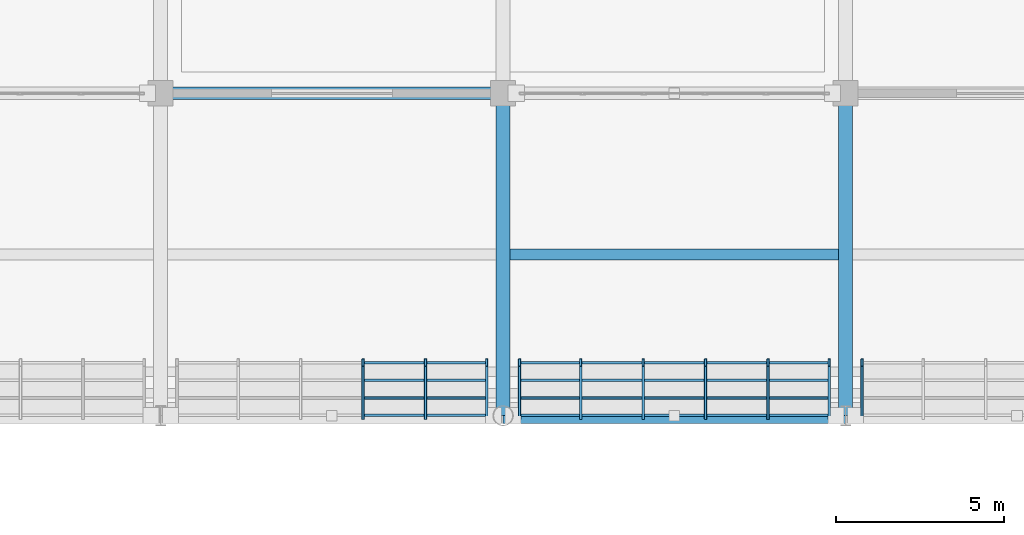
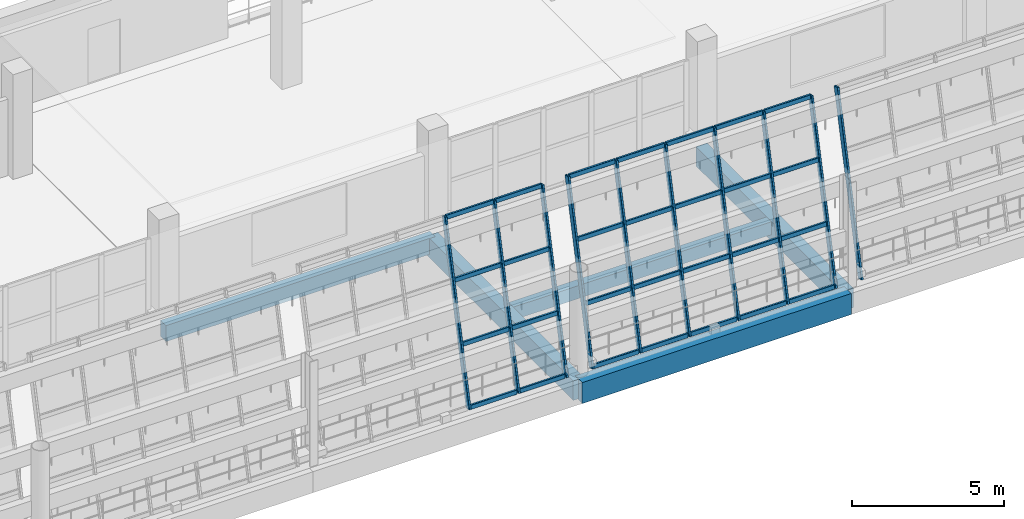
# One storey, part 43 of 157: 38 members, 5 beams, 3 elements without a shape of their own.
"""IFC4 building model written with IfcOpenShell, lengths in metres."""

from ifc_helpers import new_model, si_unit, direction, frame, origin, origin_2d, place, context, subcontext, project, spatial, rectangle, hollow_rectangle, extrude, material, material_profile, profile_set, type_object, element, aggregate, save


model = new_model("IFC4")

# Units and contexts
model_context = context("Model", 3, precision=1e-05, world=origin(), true_north=direction((0.0, 1.0)))
body_context = subcontext(model_context, "Body", "Model", "MODEL_VIEW")
ifc_project = project(units=[si_unit("LENGTHUNIT", "METRE"), si_unit("AREAUNIT", "SQUARE_METRE"), si_unit("VOLUMEUNIT", "CUBIC_METRE"), si_unit("PLANEANGLEUNIT", "RADIAN"), si_unit("MASSUNIT", "GRAM", prefix="KILO")], contexts=[model_context])

# Site, building, storey
site_placement = place(None, origin())
site = spatial("IfcSite", under=ifc_project, at=site_placement, CompositionType="ELEMENT")
building_placement = place(site_placement, origin())
building = spatial("IfcBuilding", under=site, at=building_placement, Name="Brelvane Convention Centre", CompositionType="ELEMENT")
storey_placement = place(building_placement, frame((0.0, 0.0, 10.800048828125)))
storey = spatial("IfcBuildingStorey", under=building, at=storey_placement, Name="L02", CompositionType="ELEMENT", Elevation=10.800048828125)

# Curtain wall, members
ifc_material_1 = material(Name="Anodised Aluminium Alloy 6063-T6", Category="aluminium")
curtain_wall_type = type_object("IfcCurtainWallType", Name="Curtain Wall CW-HULL-N", PredefinedType="USERDEFINED", material=ifc_material_1)
curtain_wall_1_placement = place(storey_placement, origin())
curtain_wall_1 = element("IfcCurtainWall", 1, at=curtain_wall_1_placement, inside=storey, type_object=curtain_wall_type, Name="Curtain Wall CW-HULL-N L02-V1N-HULL-08", ObjectType="UNITISED", PredefinedType="USERDEFINED")
ifc_material_2 = material(Name="Anodised Aluminium Alloy 6063-T6", Category="aluminium")
ifc_material_profile_1 = material_profile(ifc_material_2, hollow_rectangle(XDim=0.080078125, YDim=0.239990234375, WallThickness=0.006103515625, InnerFilletRadius=0.006103515625, OuterFilletRadius=0.011962890625, at=origin_2d()), Name="ALU-M 240x80x6.0")
ifc_profile_set_1 = profile_set([ifc_material_profile_1], Name="Anodised Aluminium Alloy 6063-T6")
member_type_1 = type_object("IfcMemberType", Name="Curtain Mullion CW-M1", PredefinedType="MULLION", material=ifc_profile_set_1)
member_1_placement = place(storey_placement, frame((77.429931640625, 99.60009765625, 0.0), z_axis=(0.0, 0.228324840492, 0.973585007698), x_axis=(-1.0, 0.0, 0.0)))
member_1 = element("IfcMember", 2, at=member_1_placement, type_object=member_type_1, Name="CW-HULL-N mullion 4", PredefinedType="MULLION", context=body_context, shape_type="SweptSolid", body=[
    extrude(hollow_rectangle(XDim=0.080078125, YDim=0.239990234375, WallThickness=0.006103515625, InnerFilletRadius=0.006103515625, OuterFilletRadius=0.011962890625, at=origin_2d()), origin(), (0.0, 0.0, 1.0), 6.93310546875),
])
member_2_placement = place(storey_placement, frame((79.2900390625, 99.60009765625, 0.0), z_axis=(0.0, 0.228324840492, 0.973585007698), x_axis=(-1.0, 0.0, 0.0)))
member_2 = element("IfcMember", 3, at=member_2_placement, type_object=member_type_1, Name="CW-HULL-N mullion 5", PredefinedType="MULLION", context=body_context, shape_type="SweptSolid", body=[
    extrude(hollow_rectangle(XDim=0.080078125, YDim=0.239990234375, WallThickness=0.006103515625, InnerFilletRadius=0.006103515625, OuterFilletRadius=0.011962890625, at=origin_2d()), origin(), (0.0, 0.0, 1.0), 6.93310546875),
])
member_3_placement = place(storey_placement, frame((81.110107421875, 99.60009765625, 0.0), z_axis=(0.0, 0.228324840492, 0.973585007698), x_axis=(-1.0, 0.0, 0.0)))
member_3 = element("IfcMember", 4, at=member_3_placement, type_object=member_type_1, Name="CW-HULL-N mullion 6", PredefinedType="MULLION", context=body_context, shape_type="SweptSolid", body=[
    extrude(hollow_rectangle(XDim=0.080078125, YDim=0.239990234375, WallThickness=0.006103515625, InnerFilletRadius=0.006103515625, OuterFilletRadius=0.011962890625, at=origin_2d()), origin(), (0.0, 0.0, 1.0), 6.93310546875),
])

curtain_wall_2_placement = place(storey_placement, origin())
curtain_wall_2 = element("IfcCurtainWall", 5, at=curtain_wall_2_placement, inside=storey, type_object=curtain_wall_type, Name="Curtain Wall CW-HULL-N L02-V1N-HULL-09", ObjectType="UNITISED", PredefinedType="USERDEFINED")
member_4_placement = place(storey_placement, frame((82.090087890625, 99.60009765625, 0.0), z_axis=(0.0, 0.228324840492, 0.973585007698), x_axis=(-1.0, 0.0, 0.0)))
member_4 = element("IfcMember", 6, at=member_4_placement, type_object=member_type_1, Name="CW-HULL-N mullion 1", PredefinedType="MULLION", context=body_context, shape_type="SweptSolid", body=[
    extrude(hollow_rectangle(XDim=0.080078125, YDim=0.239990234375, WallThickness=0.006103515625, InnerFilletRadius=0.006103515625, OuterFilletRadius=0.011962890625, at=origin_2d()), origin(), (0.0, 0.0, 1.0), 6.93310546875),
])
member_5_placement = place(storey_placement, frame((83.909912109375, 99.60009765625, 0.0), z_axis=(0.0, 0.228324840492, 0.973585007698), x_axis=(-1.0, 0.0, 0.0)))
member_5 = element("IfcMember", 7, at=member_5_placement, type_object=member_type_1, Name="CW-HULL-N mullion 2", PredefinedType="MULLION", context=body_context, shape_type="SweptSolid", body=[
    extrude(hollow_rectangle(XDim=0.080078125, YDim=0.239990234375, WallThickness=0.006103515625, InnerFilletRadius=0.006103515625, OuterFilletRadius=0.011962890625, at=origin_2d()), origin(), (0.0, 0.0, 1.0), 6.93310546875),
])
member_6_placement = place(storey_placement, frame((85.77001953125, 99.60009765625, 0.0), z_axis=(0.0, 0.228324840492, 0.973585007698), x_axis=(-1.0, 0.0, 0.0)))
member_6 = element("IfcMember", 8, at=member_6_placement, type_object=member_type_1, Name="CW-HULL-N mullion 3", PredefinedType="MULLION", context=body_context, shape_type="SweptSolid", body=[
    extrude(hollow_rectangle(XDim=0.080078125, YDim=0.239990234375, WallThickness=0.006103515625, InnerFilletRadius=0.006103515625, OuterFilletRadius=0.011962890625, at=origin_2d()), origin(), (0.0, 0.0, 1.0), 6.93310546875),
])
member_7_placement = place(storey_placement, frame((87.6298828125, 99.60009765625, 0.0), z_axis=(0.0, 0.228324840492, 0.973585007698), x_axis=(-1.0, 0.0, 0.0)))
member_7 = element("IfcMember", 9, at=member_7_placement, type_object=member_type_1, Name="CW-HULL-N mullion 4", PredefinedType="MULLION", context=body_context, shape_type="SweptSolid", body=[
    extrude(hollow_rectangle(XDim=0.080078125, YDim=0.239990234375, WallThickness=0.006103515625, InnerFilletRadius=0.006103515625, OuterFilletRadius=0.011962890625, at=origin_2d()), origin(), (0.0, 0.0, 1.0), 6.93310546875),
])
member_8_placement = place(storey_placement, frame((89.489990234375, 99.60009765625, 0.0), z_axis=(0.0, 0.228324840492, 0.973585007698), x_axis=(-1.0, 0.0, 0.0)))
member_8 = element("IfcMember", 10, at=member_8_placement, type_object=member_type_1, Name="CW-HULL-N mullion 5", PredefinedType="MULLION", context=body_context, shape_type="SweptSolid", body=[
    extrude(hollow_rectangle(XDim=0.080078125, YDim=0.239990234375, WallThickness=0.006103515625, InnerFilletRadius=0.006103515625, OuterFilletRadius=0.011962890625, at=origin_2d()), origin(), (0.0, 0.0, 1.0), 6.93310546875),
])
member_9_placement = place(storey_placement, frame((91.31005859375, 99.60009765625, 0.0), z_axis=(0.0, 0.228324840492, 0.973585007698), x_axis=(-1.0, 0.0, 0.0)))
member_9 = element("IfcMember", 11, at=member_9_placement, type_object=member_type_1, Name="CW-HULL-N mullion 6", PredefinedType="MULLION", context=body_context, shape_type="SweptSolid", body=[
    extrude(hollow_rectangle(XDim=0.080078125, YDim=0.239990234375, WallThickness=0.006103515625, InnerFilletRadius=0.006103515625, OuterFilletRadius=0.011962890625, at=origin_2d()), origin(), (0.0, 0.0, 1.0), 6.93310546875),
])

# Curtain wall, member
curtain_wall_3_placement = place(storey_placement, origin())
curtain_wall_3 = element("IfcCurtainWall", 12, at=curtain_wall_3_placement, inside=storey, type_object=curtain_wall_type, Name="Curtain Wall CW-HULL-N L02-V1N-HULL-10", ObjectType="UNITISED", PredefinedType="USERDEFINED")
member_10_placement = place(storey_placement, frame((92.2900390625, 99.60009765625, 0.0), z_axis=(0.0, 0.228324840492, 0.973585007698), x_axis=(-1.0, 0.0, 0.0)))
member_10 = element("IfcMember", 13, at=member_10_placement, type_object=member_type_1, Name="CW-HULL-N mullion 1", PredefinedType="MULLION", context=body_context, shape_type="SweptSolid", body=[
    extrude(hollow_rectangle(XDim=0.080078125, YDim=0.239990234375, WallThickness=0.006103515625, InnerFilletRadius=0.006103515625, OuterFilletRadius=0.011962890625, at=origin_2d()), origin(), (0.0, 0.0, 1.0), 6.93310546875),
])
aggregate(curtain_wall_3, [member_10])

# Member
ifc_material_3 = material(Name="Anodised Aluminium Alloy 6063-T6", Category="aluminium")
ifc_material_profile_2 = material_profile(ifc_material_3, hollow_rectangle(XDim=0.080078125, YDim=0.179931640625, WallThickness=0.0048828125, InnerFilletRadius=0.0048828125, OuterFilletRadius=0.010009765625, at=origin_2d()), Name="ALU-T 180x80x5.0")
ifc_profile_set_2 = profile_set([ifc_material_profile_2], Name="Anodised Aluminium Alloy 6063-T6")
member_type_2 = type_object("IfcMemberType", Name="Curtain Transom CW-T1", PredefinedType="USERDEFINED", material=ifc_profile_set_2)
member_11_placement = place(storey_placement, frame((77.469970703125, 99.609375, 0.0400390625), z_axis=(1.0, 0.0, 0.0), x_axis=(0.0, 1.0, 0.0)))
member_11 = element("IfcMember", 14, at=member_11_placement, type_object=member_type_2, Name="CW-HULL-N transom 4.1", ObjectType="TRANSOM", PredefinedType="USERDEFINED", context=body_context, shape_type="SweptSolid", body=[
    extrude(hollow_rectangle(XDim=0.080078125, YDim=0.179931640625, WallThickness=0.0048828125, InnerFilletRadius=0.0048828125, OuterFilletRadius=0.010009765625, at=origin_2d()), origin(), (0.0, 0.0, 1.0), 1.780029296875),
])

member_12_placement = place(storey_placement, frame((77.469970703125, 100.127685546875, 2.25), z_axis=(1.0, 0.0, 0.0), x_axis=(0.0, 1.0, 0.0)))
member_12 = element("IfcMember", 15, at=member_12_placement, type_object=member_type_2, Name="CW-HULL-N transom 4.2", ObjectType="TRANSOM", PredefinedType="USERDEFINED", context=body_context, shape_type="SweptSolid", body=[
    extrude(hollow_rectangle(XDim=0.080078125, YDim=0.179931640625, WallThickness=0.0048828125, InnerFilletRadius=0.0048828125, OuterFilletRadius=0.010009765625, at=origin_2d()), origin(), (0.0, 0.0, 1.0), 1.780029296875),
])

member_13_placement = place(storey_placement, frame((77.469970703125, 100.655517578125, 4.5), z_axis=(1.0, 0.0, 0.0), x_axis=(0.0, 1.0, 0.0)))
member_13 = element("IfcMember", 16, at=member_13_placement, type_object=member_type_2, Name="CW-HULL-N transom 4.3", ObjectType="TRANSOM", PredefinedType="USERDEFINED", context=body_context, shape_type="SweptSolid", body=[
    extrude(hollow_rectangle(XDim=0.080078125, YDim=0.179931640625, WallThickness=0.0048828125, InnerFilletRadius=0.0048828125, OuterFilletRadius=0.010009765625, at=origin_2d()), origin(), (0.0, 0.0, 1.0), 1.780029296875),
])

member_14_placement = place(storey_placement, frame((77.469970703125, 101.173828125, 6.7099609375), z_axis=(1.0, 0.0, 0.0), x_axis=(0.0, 1.0, 0.0)))
member_14 = element("IfcMember", 17, at=member_14_placement, type_object=member_type_2, Name="CW-HULL-N transom 4.4", ObjectType="TRANSOM", PredefinedType="USERDEFINED", context=body_context, shape_type="SweptSolid", body=[
    extrude(hollow_rectangle(XDim=0.080078125, YDim=0.179931640625, WallThickness=0.0048828125, InnerFilletRadius=0.0048828125, OuterFilletRadius=0.010009765625, at=origin_2d()), origin(), (0.0, 0.0, 1.0), 1.780029296875),
])

member_15_placement = place(storey_placement, frame((79.330078125, 99.609375, 0.0400390625), z_axis=(1.0, 0.0, 0.0), x_axis=(0.0, 1.0, 0.0)))
member_15 = element("IfcMember", 18, at=member_15_placement, type_object=member_type_2, Name="CW-HULL-N transom 5.1", ObjectType="TRANSOM", PredefinedType="USERDEFINED", context=body_context, shape_type="SweptSolid", body=[
    extrude(hollow_rectangle(XDim=0.080078125, YDim=0.179931640625, WallThickness=0.0048828125, InnerFilletRadius=0.0048828125, OuterFilletRadius=0.010009765625, at=origin_2d()), origin(), (0.0, 0.0, 1.0), 1.739990234375),
])

member_16_placement = place(storey_placement, frame((79.330078125, 100.127685546875, 2.25), z_axis=(1.0, 0.0, 0.0), x_axis=(0.0, 1.0, 0.0)))
member_16 = element("IfcMember", 19, at=member_16_placement, type_object=member_type_2, Name="CW-HULL-N transom 5.2", ObjectType="TRANSOM", PredefinedType="USERDEFINED", context=body_context, shape_type="SweptSolid", body=[
    extrude(hollow_rectangle(XDim=0.080078125, YDim=0.179931640625, WallThickness=0.0048828125, InnerFilletRadius=0.0048828125, OuterFilletRadius=0.010009765625, at=origin_2d()), origin(), (0.0, 0.0, 1.0), 1.739990234375),
])

member_17_placement = place(storey_placement, frame((79.330078125, 100.655517578125, 4.5), z_axis=(1.0, 0.0, 0.0), x_axis=(0.0, 1.0, 0.0)))
member_17 = element("IfcMember", 20, at=member_17_placement, type_object=member_type_2, Name="CW-HULL-N transom 5.3", ObjectType="TRANSOM", PredefinedType="USERDEFINED", context=body_context, shape_type="SweptSolid", body=[
    extrude(hollow_rectangle(XDim=0.080078125, YDim=0.179931640625, WallThickness=0.0048828125, InnerFilletRadius=0.0048828125, OuterFilletRadius=0.010009765625, at=origin_2d()), origin(), (0.0, 0.0, 1.0), 1.739990234375),
])

member_18_placement = place(storey_placement, frame((79.330078125, 101.173828125, 6.7099609375), z_axis=(1.0, 0.0, 0.0), x_axis=(0.0, 1.0, 0.0)))
member_18 = element("IfcMember", 21, at=member_18_placement, type_object=member_type_2, Name="CW-HULL-N transom 5.4", ObjectType="TRANSOM", PredefinedType="USERDEFINED", context=body_context, shape_type="SweptSolid", body=[
    extrude(hollow_rectangle(XDim=0.080078125, YDim=0.179931640625, WallThickness=0.0048828125, InnerFilletRadius=0.0048828125, OuterFilletRadius=0.010009765625, at=origin_2d()), origin(), (0.0, 0.0, 1.0), 1.739990234375),
])

aggregate(curtain_wall_1, [member_1, member_2, member_3, member_11, member_12, member_13, member_14, member_15, member_16, member_17, member_18])

member_19_placement = place(storey_placement, frame((82.1298828125, 99.609375, 0.0400390625), z_axis=(1.0, 0.0, 0.0), x_axis=(0.0, 1.0, 0.0)))
member_19 = element("IfcMember", 22, at=member_19_placement, type_object=member_type_2, Name="CW-HULL-N transom 1.1", ObjectType="TRANSOM", PredefinedType="USERDEFINED", context=body_context, shape_type="SweptSolid", body=[
    extrude(hollow_rectangle(XDim=0.080078125, YDim=0.179931640625, WallThickness=0.0048828125, InnerFilletRadius=0.0048828125, OuterFilletRadius=0.010009765625, at=origin_2d()), origin(), (0.0, 0.0, 1.0), 1.740234375),
])

member_20_placement = place(storey_placement, frame((82.1298828125, 100.127685546875, 2.25), z_axis=(1.0, 0.0, 0.0), x_axis=(0.0, 1.0, 0.0)))
member_20 = element("IfcMember", 23, at=member_20_placement, type_object=member_type_2, Name="CW-HULL-N transom 1.2", ObjectType="TRANSOM", PredefinedType="USERDEFINED", context=body_context, shape_type="SweptSolid", body=[
    extrude(hollow_rectangle(XDim=0.080078125, YDim=0.179931640625, WallThickness=0.0048828125, InnerFilletRadius=0.0048828125, OuterFilletRadius=0.010009765625, at=origin_2d()), origin(), (0.0, 0.0, 1.0), 1.740234375),
])

member_21_placement = place(storey_placement, frame((82.1298828125, 100.655517578125, 4.5), z_axis=(1.0, 0.0, 0.0), x_axis=(0.0, 1.0, 0.0)))
member_21 = element("IfcMember", 24, at=member_21_placement, type_object=member_type_2, Name="CW-HULL-N transom 1.3", ObjectType="TRANSOM", PredefinedType="USERDEFINED", context=body_context, shape_type="SweptSolid", body=[
    extrude(hollow_rectangle(XDim=0.080078125, YDim=0.179931640625, WallThickness=0.0048828125, InnerFilletRadius=0.0048828125, OuterFilletRadius=0.010009765625, at=origin_2d()), origin(), (0.0, 0.0, 1.0), 1.740234375),
])

member_22_placement = place(storey_placement, frame((82.1298828125, 101.173828125, 6.7099609375), z_axis=(1.0, 0.0, 0.0), x_axis=(0.0, 1.0, 0.0)))
member_22 = element("IfcMember", 25, at=member_22_placement, type_object=member_type_2, Name="CW-HULL-N transom 1.4", ObjectType="TRANSOM", PredefinedType="USERDEFINED", context=body_context, shape_type="SweptSolid", body=[
    extrude(hollow_rectangle(XDim=0.080078125, YDim=0.179931640625, WallThickness=0.0048828125, InnerFilletRadius=0.0048828125, OuterFilletRadius=0.010009765625, at=origin_2d()), origin(), (0.0, 0.0, 1.0), 1.740234375),
])

member_23_placement = place(storey_placement, frame((83.949951171875, 99.609375, 0.0400390625), z_axis=(1.0, 0.0, 0.0), x_axis=(0.0, 1.0, 0.0)))
member_23 = element("IfcMember", 26, at=member_23_placement, type_object=member_type_2, Name="CW-HULL-N transom 2.1", ObjectType="TRANSOM", PredefinedType="USERDEFINED", context=body_context, shape_type="SweptSolid", body=[
    extrude(hollow_rectangle(XDim=0.080078125, YDim=0.179931640625, WallThickness=0.0048828125, InnerFilletRadius=0.0048828125, OuterFilletRadius=0.010009765625, at=origin_2d()), origin(), (0.0, 0.0, 1.0), 1.780029296875),
])

member_24_placement = place(storey_placement, frame((83.949951171875, 100.127685546875, 2.25), z_axis=(1.0, 0.0, 0.0), x_axis=(0.0, 1.0, 0.0)))
member_24 = element("IfcMember", 27, at=member_24_placement, type_object=member_type_2, Name="CW-HULL-N transom 2.2", ObjectType="TRANSOM", PredefinedType="USERDEFINED", context=body_context, shape_type="SweptSolid", body=[
    extrude(hollow_rectangle(XDim=0.080078125, YDim=0.179931640625, WallThickness=0.0048828125, InnerFilletRadius=0.0048828125, OuterFilletRadius=0.010009765625, at=origin_2d()), origin(), (0.0, 0.0, 1.0), 1.780029296875),
])

member_25_placement = place(storey_placement, frame((83.949951171875, 100.655517578125, 4.5), z_axis=(1.0, 0.0, 0.0), x_axis=(0.0, 1.0, 0.0)))
member_25 = element("IfcMember", 28, at=member_25_placement, type_object=member_type_2, Name="CW-HULL-N transom 2.3", ObjectType="TRANSOM", PredefinedType="USERDEFINED", context=body_context, shape_type="SweptSolid", body=[
    extrude(hollow_rectangle(XDim=0.080078125, YDim=0.179931640625, WallThickness=0.0048828125, InnerFilletRadius=0.0048828125, OuterFilletRadius=0.010009765625, at=origin_2d()), origin(), (0.0, 0.0, 1.0), 1.780029296875),
])

member_26_placement = place(storey_placement, frame((83.949951171875, 101.173828125, 6.7099609375), z_axis=(1.0, 0.0, 0.0), x_axis=(0.0, 1.0, 0.0)))
member_26 = element("IfcMember", 29, at=member_26_placement, type_object=member_type_2, Name="CW-HULL-N transom 2.4", ObjectType="TRANSOM", PredefinedType="USERDEFINED", context=body_context, shape_type="SweptSolid", body=[
    extrude(hollow_rectangle(XDim=0.080078125, YDim=0.179931640625, WallThickness=0.0048828125, InnerFilletRadius=0.0048828125, OuterFilletRadius=0.010009765625, at=origin_2d()), origin(), (0.0, 0.0, 1.0), 1.780029296875),
])

member_27_placement = place(storey_placement, frame((85.81005859375, 99.609375, 0.0400390625), z_axis=(1.0, 0.0, 0.0), x_axis=(0.0, 1.0, 0.0)))
member_27 = element("IfcMember", 30, at=member_27_placement, type_object=member_type_2, Name="CW-HULL-N transom 3.1", ObjectType="TRANSOM", PredefinedType="USERDEFINED", context=body_context, shape_type="SweptSolid", body=[
    extrude(hollow_rectangle(XDim=0.080078125, YDim=0.179931640625, WallThickness=0.0048828125, InnerFilletRadius=0.0048828125, OuterFilletRadius=0.010009765625, at=origin_2d()), origin(), (0.0, 0.0, 1.0), 1.780029296875),
])

member_28_placement = place(storey_placement, frame((85.81005859375, 100.127685546875, 2.25), z_axis=(1.0, 0.0, 0.0), x_axis=(0.0, 1.0, 0.0)))
member_28 = element("IfcMember", 31, at=member_28_placement, type_object=member_type_2, Name="CW-HULL-N transom 3.2", ObjectType="TRANSOM", PredefinedType="USERDEFINED", context=body_context, shape_type="SweptSolid", body=[
    extrude(hollow_rectangle(XDim=0.080078125, YDim=0.179931640625, WallThickness=0.0048828125, InnerFilletRadius=0.0048828125, OuterFilletRadius=0.010009765625, at=origin_2d()), origin(), (0.0, 0.0, 1.0), 1.780029296875),
])

member_29_placement = place(storey_placement, frame((85.81005859375, 100.655517578125, 4.5), z_axis=(1.0, 0.0, 0.0), x_axis=(0.0, 1.0, 0.0)))
member_29 = element("IfcMember", 32, at=member_29_placement, type_object=member_type_2, Name="CW-HULL-N transom 3.3", ObjectType="TRANSOM", PredefinedType="USERDEFINED", context=body_context, shape_type="SweptSolid", body=[
    extrude(hollow_rectangle(XDim=0.080078125, YDim=0.179931640625, WallThickness=0.0048828125, InnerFilletRadius=0.0048828125, OuterFilletRadius=0.010009765625, at=origin_2d()), origin(), (0.0, 0.0, 1.0), 1.780029296875),
])

member_30_placement = place(storey_placement, frame((85.81005859375, 101.173828125, 6.7099609375), z_axis=(1.0, 0.0, 0.0), x_axis=(0.0, 1.0, 0.0)))
member_30 = element("IfcMember", 33, at=member_30_placement, type_object=member_type_2, Name="CW-HULL-N transom 3.4", ObjectType="TRANSOM", PredefinedType="USERDEFINED", context=body_context, shape_type="SweptSolid", body=[
    extrude(hollow_rectangle(XDim=0.080078125, YDim=0.179931640625, WallThickness=0.0048828125, InnerFilletRadius=0.0048828125, OuterFilletRadius=0.010009765625, at=origin_2d()), origin(), (0.0, 0.0, 1.0), 1.780029296875),
])

member_31_placement = place(storey_placement, frame((87.669921875, 99.609375, 0.0400390625), z_axis=(1.0, 0.0, 0.0), x_axis=(0.0, 1.0, 0.0)))
member_31 = element("IfcMember", 34, at=member_31_placement, type_object=member_type_2, Name="CW-HULL-N transom 4.1", ObjectType="TRANSOM", PredefinedType="USERDEFINED", context=body_context, shape_type="SweptSolid", body=[
    extrude(hollow_rectangle(XDim=0.080078125, YDim=0.179931640625, WallThickness=0.0048828125, InnerFilletRadius=0.0048828125, OuterFilletRadius=0.010009765625, at=origin_2d()), origin(), (0.0, 0.0, 1.0), 1.780029296875),
])

member_32_placement = place(storey_placement, frame((87.669921875, 100.127685546875, 2.25), z_axis=(1.0, 0.0, 0.0), x_axis=(0.0, 1.0, 0.0)))
member_32 = element("IfcMember", 35, at=member_32_placement, type_object=member_type_2, Name="CW-HULL-N transom 4.2", ObjectType="TRANSOM", PredefinedType="USERDEFINED", context=body_context, shape_type="SweptSolid", body=[
    extrude(hollow_rectangle(XDim=0.080078125, YDim=0.179931640625, WallThickness=0.0048828125, InnerFilletRadius=0.0048828125, OuterFilletRadius=0.010009765625, at=origin_2d()), origin(), (0.0, 0.0, 1.0), 1.780029296875),
])

member_33_placement = place(storey_placement, frame((87.669921875, 100.655517578125, 4.5), z_axis=(1.0, 0.0, 0.0), x_axis=(0.0, 1.0, 0.0)))
member_33 = element("IfcMember", 36, at=member_33_placement, type_object=member_type_2, Name="CW-HULL-N transom 4.3", ObjectType="TRANSOM", PredefinedType="USERDEFINED", context=body_context, shape_type="SweptSolid", body=[
    extrude(hollow_rectangle(XDim=0.080078125, YDim=0.179931640625, WallThickness=0.0048828125, InnerFilletRadius=0.0048828125, OuterFilletRadius=0.010009765625, at=origin_2d()), origin(), (0.0, 0.0, 1.0), 1.780029296875),
])

member_34_placement = place(storey_placement, frame((87.669921875, 101.173828125, 6.7099609375), z_axis=(1.0, 0.0, 0.0), x_axis=(0.0, 1.0, 0.0)))
member_34 = element("IfcMember", 37, at=member_34_placement, type_object=member_type_2, Name="CW-HULL-N transom 4.4", ObjectType="TRANSOM", PredefinedType="USERDEFINED", context=body_context, shape_type="SweptSolid", body=[
    extrude(hollow_rectangle(XDim=0.080078125, YDim=0.179931640625, WallThickness=0.0048828125, InnerFilletRadius=0.0048828125, OuterFilletRadius=0.010009765625, at=origin_2d()), origin(), (0.0, 0.0, 1.0), 1.780029296875),
])

member_35_placement = place(storey_placement, frame((89.530029296875, 99.609375, 0.0400390625), z_axis=(1.0, 0.0, 0.0), x_axis=(0.0, 1.0, 0.0)))
member_35 = element("IfcMember", 38, at=member_35_placement, type_object=member_type_2, Name="CW-HULL-N transom 5.1", ObjectType="TRANSOM", PredefinedType="USERDEFINED", context=body_context, shape_type="SweptSolid", body=[
    extrude(hollow_rectangle(XDim=0.080078125, YDim=0.179931640625, WallThickness=0.0048828125, InnerFilletRadius=0.0048828125, OuterFilletRadius=0.010009765625, at=origin_2d()), origin(), (0.0, 0.0, 1.0), 1.739990234375),
])

member_36_placement = place(storey_placement, frame((89.530029296875, 100.127685546875, 2.25), z_axis=(1.0, 0.0, 0.0), x_axis=(0.0, 1.0, 0.0)))
member_36 = element("IfcMember", 39, at=member_36_placement, type_object=member_type_2, Name="CW-HULL-N transom 5.2", ObjectType="TRANSOM", PredefinedType="USERDEFINED", context=body_context, shape_type="SweptSolid", body=[
    extrude(hollow_rectangle(XDim=0.080078125, YDim=0.179931640625, WallThickness=0.0048828125, InnerFilletRadius=0.0048828125, OuterFilletRadius=0.010009765625, at=origin_2d()), origin(), (0.0, 0.0, 1.0), 1.739990234375),
])

member_37_placement = place(storey_placement, frame((89.530029296875, 100.655517578125, 4.5), z_axis=(1.0, 0.0, 0.0), x_axis=(0.0, 1.0, 0.0)))
member_37 = element("IfcMember", 40, at=member_37_placement, type_object=member_type_2, Name="CW-HULL-N transom 5.3", ObjectType="TRANSOM", PredefinedType="USERDEFINED", context=body_context, shape_type="SweptSolid", body=[
    extrude(hollow_rectangle(XDim=0.080078125, YDim=0.179931640625, WallThickness=0.0048828125, InnerFilletRadius=0.0048828125, OuterFilletRadius=0.010009765625, at=origin_2d()), origin(), (0.0, 0.0, 1.0), 1.739990234375),
])

member_38_placement = place(storey_placement, frame((89.530029296875, 101.173828125, 6.7099609375), z_axis=(1.0, 0.0, 0.0), x_axis=(0.0, 1.0, 0.0)))
member_38 = element("IfcMember", 41, at=member_38_placement, type_object=member_type_2, Name="CW-HULL-N transom 5.4", ObjectType="TRANSOM", PredefinedType="USERDEFINED", context=body_context, shape_type="SweptSolid", body=[
    extrude(hollow_rectangle(XDim=0.080078125, YDim=0.179931640625, WallThickness=0.0048828125, InnerFilletRadius=0.0048828125, OuterFilletRadius=0.010009765625, at=origin_2d()), origin(), (0.0, 0.0, 1.0), 1.739990234375),
])

aggregate(curtain_wall_2, [member_4, member_5, member_6, member_7, member_8, member_9, member_19, member_20, member_21, member_22, member_23, member_24, member_25, member_26, member_27, member_28, member_29, member_30, member_31, member_32, member_33, member_34, member_35, member_36, member_37, member_38])

# Beams
ifc_material_4 = material(Name="Concrete M40", Category="concrete")
ifc_material_profile_3 = material_profile(ifc_material_4, rectangle(XDim=0.4599609375, YDim=0.840087890625, at=origin_2d()), Name="RC 460x840")
ifc_profile_set_3 = profile_set([ifc_material_profile_3], Name="Concrete M40")
beam_type_1 = type_object("IfcBeamType", Name="RC Beam B-RC11 (RC 460x840)", PredefinedType="BEAM", material=ifc_profile_set_3)
beam_1_placement = place(storey_placement, frame((81.60009765625, 99.60009765625, -0.699951171875), z_axis=(1.0, 0.0, 0.0), x_axis=(0.0, 1.0, 0.0)))
element("IfcBeam", 42, at=beam_1_placement, inside=storey, type_object=beam_type_1, Name="L02 Beam 9-10/K", PredefinedType="BEAM", context=body_context, shape_type="SweptSolid", body=[
    extrude(rectangle(XDim=0.4599609375, YDim=0.840087890625, at=origin_2d()), origin(), (0.0, 0.0, 1.0), 10.199951171875),
])
ifc_material_5 = material(Name="Concrete M40", Category="concrete")
ifc_material_profile_4 = material_profile(ifc_material_5, rectangle(XDim=0.419921875, YDim=0.780029296875, at=origin_2d()), Name="RC 420x780")
ifc_profile_set_4 = profile_set([ifc_material_profile_4], Name="Concrete M40")
beam_type_2 = type_object("IfcBeamType", Name="RC Beam B-RC12 (RC 420x780)", PredefinedType="BEAM", material=ifc_profile_set_4)
for number, where, z_axis, x_axis, name in (
    (43, (81.60009765625, 99.60009765625, -0.670166015625), (0.0, 1.0, 0.0), (-1.0, 0.0, 0.0), "L02 Girder 9/K-L"),
    (44, (91.800048828125, 99.60009765625, -0.670166015625), (0.0, 1.0, 0.0), (-1.0, 0.0, 0.0), "L02 Girder 10/K-L"),
):
    element("IfcBeam", number, at=place(storey_placement, frame(where, z_axis=z_axis, x_axis=x_axis)), inside=storey, type_object=beam_type_2, Name=name, PredefinedType="BEAM", context=body_context, shape_type="SweptSolid", body=[
        extrude(rectangle(XDim=0.419921875, YDim=0.780029296875, at=origin_2d()), origin(), (0.0, 0.0, 1.0), 9.599853515625),
    ])
ifc_material_6 = material(Name="Concrete M40", Category="concrete")
ifc_material_profile_5 = material_profile(ifc_material_6, rectangle(XDim=0.320068359375, YDim=0.52001953125, at=origin_2d()), Name="RC 320x520")
ifc_profile_set_5 = profile_set([ifc_material_profile_5], Name="Concrete M40")
beam_type_3 = type_object("IfcBeamType", Name="RC Joist J-RC4 (RC 320x520)", PredefinedType="JOIST", material=ifc_profile_set_5)
beam_2_placement = place(storey_placement, frame((81.81005859375, 104.39990234375, -0.5400390625), z_axis=(1.0, 0.0, 0.0), x_axis=(0.0, 1.0, 0.0)))
element("IfcBeam", 45, at=beam_2_placement, inside=storey, type_object=beam_type_3, Name="L02 Secondary Joist 9-10/KL", PredefinedType="JOIST", context=body_context, shape_type="SweptSolid", body=[
    extrude(rectangle(XDim=0.320068359375, YDim=0.52001953125, at=origin_2d()), origin(), (0.0, 0.0, 1.0), 9.780029296875),
])
ifc_material_7 = material(Name="Concrete M40", Category="concrete")
ifc_material_profile_6 = material_profile(ifc_material_7, rectangle(XDim=0.360107421875, YDim=0.639892578125, at=origin_2d()), Name="RC 360x640")
ifc_profile_set_6 = profile_set([ifc_material_profile_6], Name="Concrete M40")
beam_type_4 = type_object("IfcBeamType", Name="RC Spandrel SP-RC3 (RC 360x640)", PredefinedType="SPANDREL", material=ifc_profile_set_6)
beam_3_placement = place(storey_placement, frame((71.39990234375, 109.199951171875, -0.60009765625), z_axis=(1.0, 0.0, 0.0), x_axis=(0.0, 1.0, 0.0)))
element("IfcBeam", 46, at=beam_3_placement, inside=storey, type_object=beam_type_4, Name="L02 Beam 8-9/L", PredefinedType="SPANDREL", context=body_context, shape_type="SweptSolid", body=[
    extrude(rectangle(XDim=0.360107421875, YDim=0.639892578125, at=origin_2d()), origin(), (0.0, 0.0, 1.0), 10.2001953125),
])

save(model, "model.ifc")
